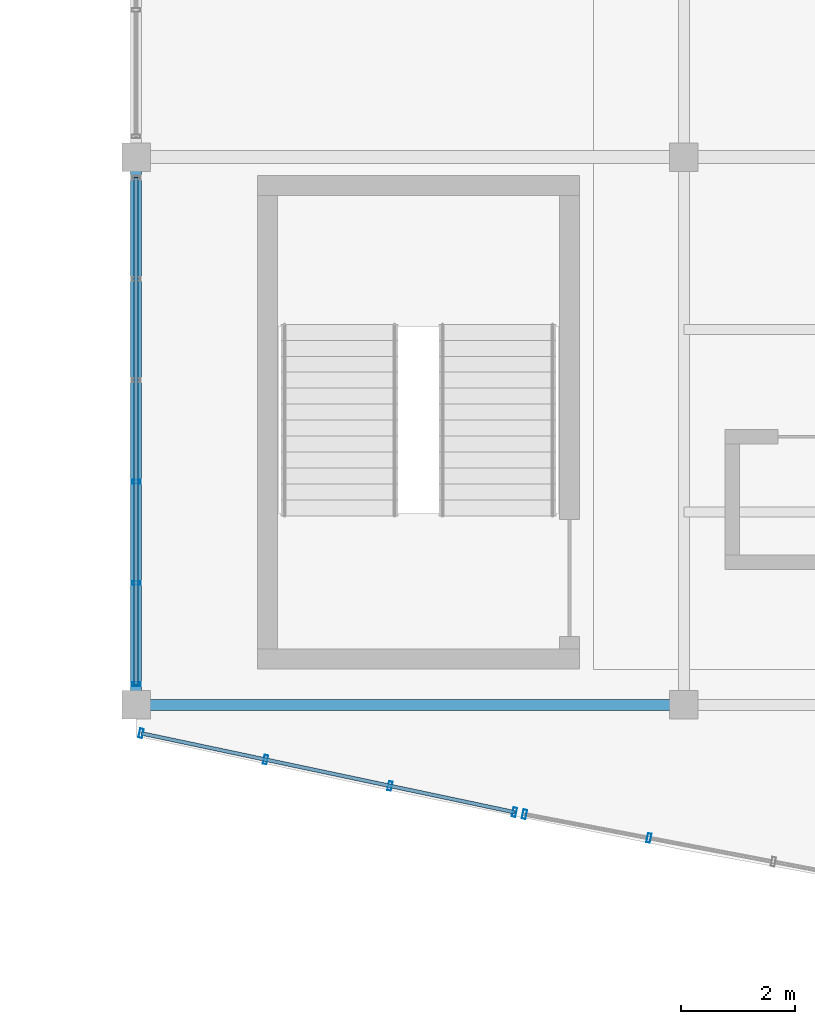
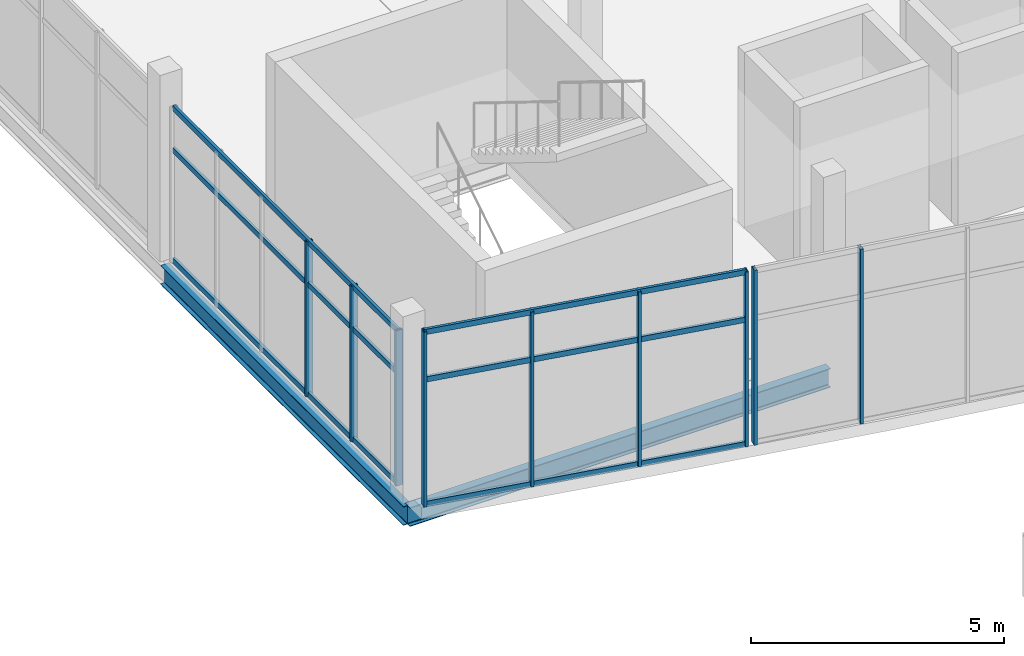
# One storey, part 49 of 114: 15 members, 2 beams, 3 elements without a shape of their own.
"""IFC4 building model written with IfcOpenShell, lengths in metres."""

from ifc_helpers import new_model, si_unit, direction, frame, origin, origin_2d, place, context, subcontext, project, spatial, hollow_rectangle, i_section, extrude, material, layer, layer_set, material_profile, profile_set, type_object, element, aggregate, save


model = new_model("IFC4")

# Units and contexts
model_context = context("Model", 3, precision=1e-05, world=origin(), true_north=direction((0.0, 1.0)))
body_context = subcontext(model_context, "Body", "Model", "MODEL_VIEW")
ifc_project = project(units=[si_unit("LENGTHUNIT", "METRE"), si_unit("AREAUNIT", "SQUARE_METRE"), si_unit("VOLUMEUNIT", "CUBIC_METRE"), si_unit("PLANEANGLEUNIT", "RADIAN"), si_unit("MASSUNIT", "GRAM", prefix="KILO")], contexts=[model_context])

# Site, building, storey
site_placement = place(None, origin())
site = spatial("IfcSite", under=ifc_project, at=site_placement, CompositionType="ELEMENT")
building_placement = place(site_placement, origin())
building = spatial("IfcBuilding", under=site, at=building_placement, Name="Chalmorin Arch Market", CompositionType="ELEMENT")
storey_placement = place(building_placement, frame((0.0, 0.0, 9.60009765625)))
storey = spatial("IfcBuildingStorey", under=building, at=storey_placement, Name="L02", CompositionType="ELEMENT", Elevation=9.60009765625)

# Curtain wall, members
ifc_material_1 = material(Name="Aluminium 6063-T6", Category="aluminium")
ifc_layer_1 = layer(ifc_material_1, 0.159912109375)
ifc_layer_set_1 = layer_set([ifc_layer_1], Name="Aluminium 6063-T6")
curtain_wall_type_1 = type_object("IfcCurtainWallType", Name="CulinaryStudioCurtainWall-CW3-8880x3750", PredefinedType="NOTDEFINED", material=ifc_layer_set_1)
curtain_wall_1_placement = place(storey_placement, origin())
curtain_wall_1 = element("IfcCurtainWall", 1, at=curtain_wall_1_placement, inside=storey, type_object=curtain_wall_type_1, Name="CW-03-108", PredefinedType="NOTDEFINED")
ifc_material_profile_1 = material_profile(ifc_material_1, hollow_rectangle(XDim=0.06494140625, YDim=0.159912109375, WallThickness=0.00390625, at=origin_2d()), Name="ALU65X160X4")
ifc_profile_set_1 = profile_set([ifc_material_profile_1], Name="Aluminium 6063-T6")
member_type_1 = type_object("IfcMemberType", Name="CurtainWallMullion-65x160", PredefinedType="MULLION", material=ifc_profile_set_1)
member_1_placement = place(storey_placement, frame((48.0, 72.360107421875, 0.0), z_axis=(0.0, 0.0, 1.0), x_axis=(0.0, 1.0, 0.0)))
member_1 = element("IfcMember", 2, at=member_1_placement, type_object=member_type_1, Name="ML-108-01", PredefinedType="MULLION", context=body_context, shape_type="SweptSolid", body=[
    extrude(hollow_rectangle(XDim=0.06494140625, YDim=0.159912109375, WallThickness=0.00390625, at=origin_2d()), origin(), (0.0, 0.0, 1.0), 3.745849609375),
])
member_2_placement = place(storey_placement, frame((48.0, 74.135986328125, 0.0), z_axis=(0.0, 0.0, 1.0), x_axis=(0.0, 1.0, 0.0)))
member_2 = element("IfcMember", 3, at=member_2_placement, type_object=member_type_1, Name="ML-108-02", PredefinedType="MULLION", context=body_context, shape_type="SweptSolid", body=[
    extrude(hollow_rectangle(XDim=0.06494140625, YDim=0.159912109375, WallThickness=0.00390625, at=origin_2d()), origin(), (0.0, 0.0, 1.0), 3.745849609375),
])
member_3_placement = place(storey_placement, frame((48.0, 75.912109375, 0.0), z_axis=(0.0, 0.0, 1.0), x_axis=(0.0, 1.0, 0.0)))
member_3 = element("IfcMember", 4, at=member_3_placement, type_object=member_type_1, Name="ML-108-03", PredefinedType="MULLION", context=body_context, shape_type="SweptSolid", body=[
    extrude(hollow_rectangle(XDim=0.06494140625, YDim=0.159912109375, WallThickness=0.00390625, at=origin_2d()), origin(), (0.0, 0.0, 1.0), 3.745849609375),
])

ifc_layer_2 = layer(ifc_material_1, 0.159912109375)
ifc_layer_set_2 = layer_set([ifc_layer_2], Name="Aluminium 6063-T6")
curtain_wall_type_2 = type_object("IfcCurtainWallType", Name="CulinaryStudioCurtainWall-CW3-6690x4220", PredefinedType="NOTDEFINED", material=ifc_layer_set_2)
curtain_wall_2_placement = place(storey_placement, origin())
curtain_wall_2 = element("IfcCurtainWall", 5, at=curtain_wall_2_placement, inside=storey, type_object=curtain_wall_type_2, Name="CW-03-151", PredefinedType="NOTDEFINED")
member_4_placement = place(storey_placement, frame((48.088134765625, 71.50146484375, 0.0), z_axis=(0.0, 0.0, 1.0), x_axis=(0.978147600734, -0.207911690818, 0.0)))
member_4 = element("IfcMember", 6, at=member_4_placement, type_object=member_type_1, Name="ML-151-01", PredefinedType="MULLION", context=body_context, shape_type="SweptSolid", body=[
    extrude(hollow_rectangle(XDim=0.06494140625, YDim=0.159912109375, WallThickness=0.00390625, at=origin_2d()), origin(), (0.0, 0.0, 1.0), 4.219970703125),
])
member_5_placement = place(storey_placement, frame((50.269287109375, 71.0400390625, 0.0), z_axis=(0.0, 0.0, 1.0), x_axis=(0.978147600734, -0.207911690818, 0.0)))
member_5 = element("IfcMember", 7, at=member_5_placement, type_object=member_type_1, Name="ML-151-02", PredefinedType="MULLION", context=body_context, shape_type="SweptSolid", body=[
    extrude(hollow_rectangle(XDim=0.06494140625, YDim=0.159912109375, WallThickness=0.00390625, at=origin_2d()), origin(), (0.0, 0.0, 1.0), 4.219970703125),
])
member_6_placement = place(storey_placement, frame((52.45068359375, 70.578857421875, 0.0), z_axis=(0.0, 0.0, 1.0), x_axis=(0.978147600734, -0.207911690818, 0.0)))
member_6 = element("IfcMember", 8, at=member_6_placement, type_object=member_type_1, Name="ML-151-03", PredefinedType="MULLION", context=body_context, shape_type="SweptSolid", body=[
    extrude(hollow_rectangle(XDim=0.06494140625, YDim=0.159912109375, WallThickness=0.00390625, at=origin_2d()), origin(), (0.0, 0.0, 1.0), 4.219970703125),
])
member_7_placement = place(storey_placement, frame((54.6318359375, 70.11767578125, 0.0), z_axis=(0.0, 0.0, 1.0), x_axis=(0.978147600734, -0.207911690818, 0.0)))
member_7 = element("IfcMember", 9, at=member_7_placement, type_object=member_type_1, Name="ML-151-04", PredefinedType="MULLION", context=body_context, shape_type="SweptSolid", body=[
    extrude(hollow_rectangle(XDim=0.06494140625, YDim=0.159912109375, WallThickness=0.00390625, at=origin_2d()), origin(), (0.0, 0.0, 1.0), 4.219970703125),
])

ifc_layer_3 = layer(ifc_material_1, 0.159912109375)
ifc_layer_set_3 = layer_set([ifc_layer_3], Name="Aluminium 6063-T6")
curtain_wall_type_3 = type_object("IfcCurtainWallType", Name="CulinaryStudioCurtainWall-CW3-6660x4220", PredefinedType="NOTDEFINED", material=ifc_layer_set_3)
curtain_wall_3_placement = place(storey_placement, origin())
curtain_wall_3 = element("IfcCurtainWall", 10, at=curtain_wall_3_placement, inside=storey, type_object=curtain_wall_type_3, Name="CW-03-154", PredefinedType="NOTDEFINED")
member_8_placement = place(storey_placement, frame((54.808349609375, 70.08203125, 0.0), z_axis=(0.0, 0.0, 1.0), x_axis=(0.981627183448, -0.190808995377, 0.0)))
member_8 = element("IfcMember", 11, at=member_8_placement, type_object=member_type_1, Name="ML-154-01", PredefinedType="MULLION", context=body_context, shape_type="SweptSolid", body=[
    extrude(hollow_rectangle(XDim=0.06494140625, YDim=0.159912109375, WallThickness=0.00390625, at=origin_2d()), origin(), (0.0, 0.0, 1.0), 4.219970703125),
])
member_9_placement = place(storey_placement, frame((56.989501953125, 69.665771484375, 0.0), z_axis=(0.0, 0.0, 1.0), x_axis=(0.981627183448, -0.190808995377, 0.0)))
member_9 = element("IfcMember", 12, at=member_9_placement, type_object=member_type_1, Name="ML-154-02", PredefinedType="MULLION", context=body_context, shape_type="SweptSolid", body=[
    extrude(hollow_rectangle(XDim=0.06494140625, YDim=0.159912109375, WallThickness=0.00390625, at=origin_2d()), origin(), (0.0, 0.0, 1.0), 4.219970703125),
])
aggregate(curtain_wall_3, [member_8, member_9])

# Member
ifc_material_profile_2 = material_profile(ifc_material_1, hollow_rectangle(XDim=0.06494140625, YDim=0.1298828125, WallThickness=0.00390625, at=origin_2d()), Name="ALU65X130X4")
ifc_profile_set_2 = profile_set([ifc_material_profile_2], Name="Aluminium 6063-T6")
member_type_2 = type_object("IfcMemberType", Name="CurtainWallTransom-65x130", PredefinedType="USERDEFINED", material=ifc_profile_set_2)
member_10_placement = place(storey_placement, frame((48.0, 72.360107421875, 0.034912109375), z_axis=(0.0, 1.0, 0.0), x_axis=(-1.0, 0.0, 0.0)))
member_10 = element("IfcMember", 13, at=member_10_placement, type_object=member_type_2, Name="TR-108-01", ObjectType="TRANSOM", PredefinedType="USERDEFINED", context=body_context, shape_type="SweptSolid", body=[
    extrude(hollow_rectangle(XDim=0.06494140625, YDim=0.1298828125, WallThickness=0.00390625, at=origin_2d()), origin(), (0.0, 0.0, 1.0), 8.8798828125),
])

member_11_placement = place(storey_placement, frame((48.0, 72.360107421875, 2.697021484375), z_axis=(0.0, 1.0, 0.0), x_axis=(-1.0, 0.0, 0.0)))
member_11 = element("IfcMember", 14, at=member_11_placement, type_object=member_type_2, Name="TR-108-02", ObjectType="TRANSOM", PredefinedType="USERDEFINED", context=body_context, shape_type="SweptSolid", body=[
    extrude(hollow_rectangle(XDim=0.06494140625, YDim=0.1298828125, WallThickness=0.00390625, at=origin_2d()), origin(), (0.0, 0.0, 1.0), 8.8798828125),
])

member_12_placement = place(storey_placement, frame((48.0, 72.360107421875, 3.7109375), z_axis=(0.0, 1.0, 0.0), x_axis=(-1.0, 0.0, 0.0)))
member_12 = element("IfcMember", 15, at=member_12_placement, type_object=member_type_2, Name="TR-108-03", ObjectType="TRANSOM", PredefinedType="USERDEFINED", context=body_context, shape_type="SweptSolid", body=[
    extrude(hollow_rectangle(XDim=0.06494140625, YDim=0.1298828125, WallThickness=0.00390625, at=origin_2d()), origin(), (0.0, 0.0, 1.0), 8.8798828125),
])

aggregate(curtain_wall_1, [member_1, member_2, member_3, member_10, member_11, member_12])

member_13_placement = place(storey_placement, frame((48.088134765625, 71.50146484375, 0.034912109375), z_axis=(0.978363487727, -0.206893416723, 0.0), x_axis=(0.206893416723, 0.978363487727, 0.0)))
member_13 = element("IfcMember", 16, at=member_13_placement, type_object=member_type_2, Name="TR-151-01", ObjectType="TRANSOM", PredefinedType="USERDEFINED", context=body_context, shape_type="SweptSolid", body=[
    extrude(hollow_rectangle(XDim=0.06494140625, YDim=0.1298828125, WallThickness=0.00390625, at=origin_2d()), origin(), (0.0, 0.0, 1.0), 6.6884765625),
])

member_14_placement = place(storey_placement, frame((48.088134765625, 71.50146484375, 3.038330078125), z_axis=(0.978363487727, -0.206893416723, 0.0), x_axis=(0.206893416723, 0.978363487727, 0.0)))
member_14 = element("IfcMember", 17, at=member_14_placement, type_object=member_type_2, Name="TR-151-02", ObjectType="TRANSOM", PredefinedType="USERDEFINED", context=body_context, shape_type="SweptSolid", body=[
    extrude(hollow_rectangle(XDim=0.06494140625, YDim=0.1298828125, WallThickness=0.00390625, at=origin_2d()), origin(), (0.0, 0.0, 1.0), 6.6884765625),
])

member_15_placement = place(storey_placement, frame((48.088134765625, 71.50146484375, 4.184814453125), z_axis=(0.978363487727, -0.206893416723, 0.0), x_axis=(0.206893416723, 0.978363487727, 0.0)))
member_15 = element("IfcMember", 18, at=member_15_placement, type_object=member_type_2, Name="TR-151-03", ObjectType="TRANSOM", PredefinedType="USERDEFINED", context=body_context, shape_type="SweptSolid", body=[
    extrude(hollow_rectangle(XDim=0.06494140625, YDim=0.1298828125, WallThickness=0.00390625, at=origin_2d()), origin(), (0.0, 0.0, 1.0), 6.6884765625),
])

aggregate(curtain_wall_2, [member_4, member_5, member_6, member_7, member_13, member_14, member_15])

# Beams
ifc_material_2 = material(Name="Steel A992 Grade 50", Category="steel")
ifc_material_profile_3 = material_profile(ifc_material_2, i_section(OverallWidth=0.19091796875, OverallDepth=0.45703125, WebThickness=0.009033203125, FlangeThickness=0.014404296875, FilletRadius=0.02001953125, at=origin_2d()), Name="W18X50")
ifc_profile_set_3 = profile_set([ifc_material_profile_3], Name="Steel A992 Grade 50")
beam_type = type_object("IfcBeamType", Name="PerimeterSpandrelBeam-W18X50", PredefinedType="SPANDREL", material=ifc_profile_set_3)
for number, where, z_axis, x_axis, name in (
    (19, (48.0, 72.0, -0.510498046875), (1.0, 0.0, 0.0), (0.0, 1.0, 0.0), "SP-W18-1219"),
    (20, (48.0, 72.0, -0.510498046875), (0.0, 1.0, 0.0), (-1.0, 0.0, 0.0), "SP-W18-1221"),
):
    element("IfcBeam", number, at=place(storey_placement, frame(where, z_axis=z_axis, x_axis=x_axis)), inside=storey, type_object=beam_type, Name=name, PredefinedType="SPANDREL", context=body_context, shape_type="SweptSolid", body=[
        extrude(i_section(OverallWidth=0.19091796875, OverallDepth=0.45703125, WebThickness=0.009033203125, FlangeThickness=0.014404296875, FilletRadius=0.02001953125, at=origin_2d()), origin(), (0.0, 0.0, 1.0), 9.60009765625),
    ])

save(model, "model.ifc")
